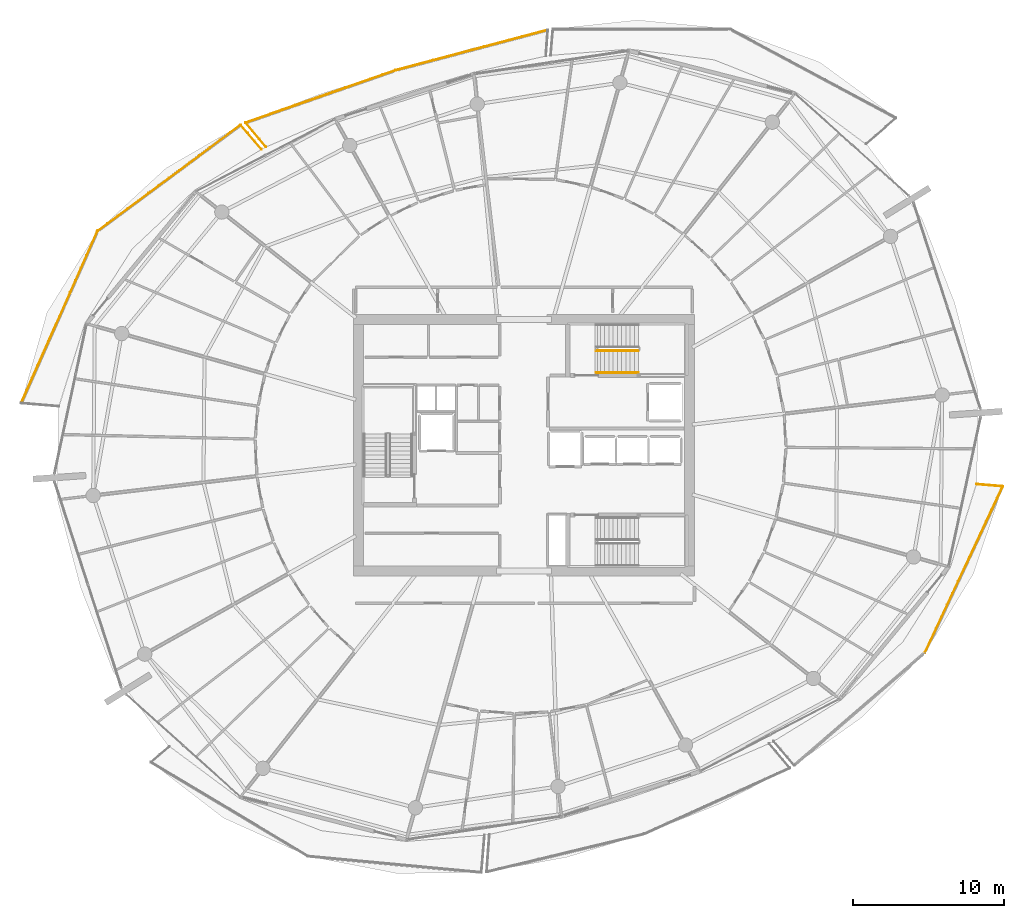
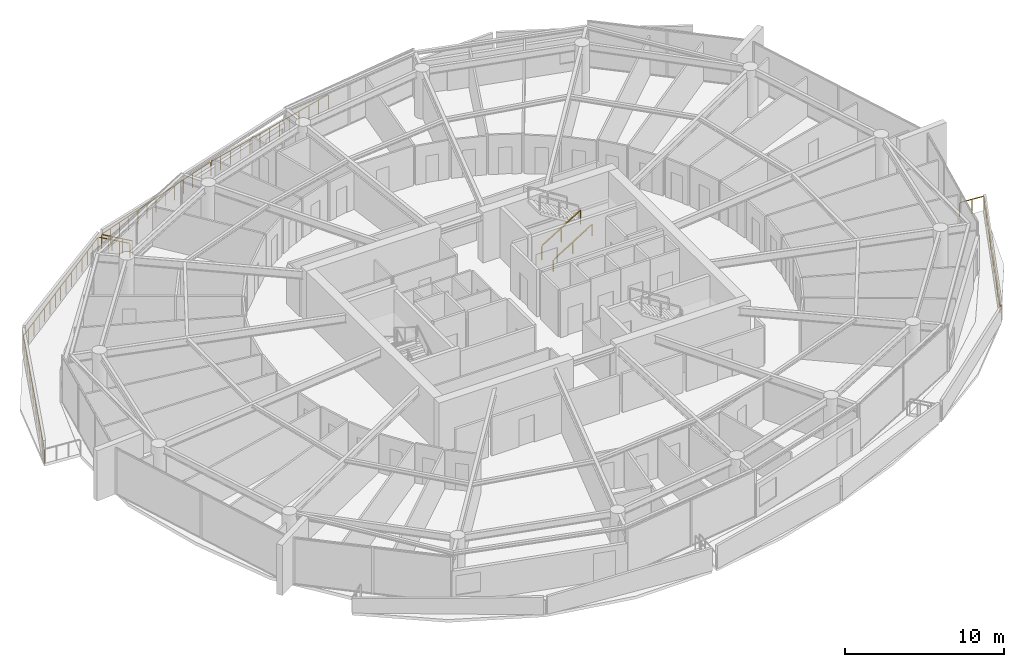
# One storey, part 28 of 30: 10 railings.
"""IFC4 building model written with IfcOpenShell, lengths in metres."""

from ifc_helpers import new_model, si_unit, direction, frame, origin, origin_2d, place, context, subcontext, project, spatial, rectangle, extrude, material, type_object, element, save


model = new_model("IFC4")

# Units and contexts
model_context = context("Model", 3, precision=1e-05, world=origin(), true_north=direction((0.0, 1.0)))
body_context = subcontext(model_context, "Body", "Model", "MODEL_VIEW")
ifc_project = project(units=[si_unit("LENGTHUNIT", "METRE"), si_unit("AREAUNIT", "SQUARE_METRE"), si_unit("VOLUMEUNIT", "CUBIC_METRE"), si_unit("PLANEANGLEUNIT", "RADIAN"), si_unit("MASSUNIT", "GRAM", prefix="KILO")], contexts=[model_context])

# Site, building, storey
site_placement = place(None, origin())
site = spatial("IfcSite", under=ifc_project, at=site_placement, CompositionType="ELEMENT")
building_placement = place(site_placement, origin())
building = spatial("IfcBuilding", under=site, at=building_placement, Name="Kazma Halo Residences", CompositionType="ELEMENT")
storey_placement = place(building_placement, frame((0.0, 0.0, 263.64990234375)))
storey = spatial("IfcBuildingStorey", under=building, at=storey_placement, Name="L66", CompositionType="ELEMENT", Elevation=263.64990234375)

# Railings
ifc_material_1 = material(Name="Aluminium AW-6063 T6 Brushed Cap Rail", Category="aluminium")
railing_type_1 = type_object("IfcRailingType", Name="RLG-BAL-CAP-1120", PredefinedType="BALUSTRADE", material=ifc_material_1)
railing_1_placement = place(storey_placement, frame((49.993408203125, 69.47265625, 0.0)))
element("IfcRailing", 1, at=railing_1_placement, inside=storey, type_object=railing_type_1, Name="L66 NNW wave balcony guard 2", PredefinedType="BALUSTRADE", context=body_context, shape_type="SweptSolid", body=[
    extrude(rectangle(XDim=0.050048828125, YDim=0.050048828125, at=origin_2d()), frame((-0.041015625, -0.010986328125, 1.09521484375), z_axis=(-0.966571887032, -0.256395762836, 0.0), x_axis=(0.256395762836, -0.966571887032, 0.0)), (0.0, 0.0, 1.0), 10.31591796875),
    extrude(rectangle(XDim=0.0400390625, YDim=0.0400390625, at=origin_2d()), origin(), (0.0, 0.0, 1.0), 1.05810546875),
    extrude(rectangle(XDim=0.0400390625, YDim=0.0400390625, at=origin_2d()), frame((-0.837890625, -0.22216796875, 0.0)), (0.0, 0.0, 1.0), 1.05810546875),
    extrude(rectangle(XDim=0.0400390625, YDim=0.0400390625, at=origin_2d()), frame((-1.675537109375, -0.4443359375, 0.0)), (0.0, 0.0, 1.0), 1.05810546875),
    extrude(rectangle(XDim=0.0400390625, YDim=0.0400390625, at=origin_2d()), frame((-2.51318359375, -0.666748046875, 0.0)), (0.0, 0.0, 1.0), 1.05810546875),
    extrude(rectangle(XDim=0.0400390625, YDim=0.0400390625, at=origin_2d()), frame((-3.35107421875, -0.888916015625, 0.0)), (0.0, 0.0, 1.0), 1.05810546875),
    extrude(rectangle(XDim=0.0400390625, YDim=0.0400390625, at=origin_2d()), frame((-4.18896484375, -1.111083984375, 0.0)), (0.0, 0.0, 1.0), 1.05810546875),
    extrude(rectangle(XDim=0.0400390625, YDim=0.0400390625, at=origin_2d()), frame((-5.026611328125, -1.33349609375, 0.0)), (0.0, 0.0, 1.0), 1.05810546875),
    extrude(rectangle(XDim=0.0400390625, YDim=0.0400390625, at=origin_2d()), frame((-5.8642578125, -1.5556640625, 0.0)), (0.0, 0.0, 1.0), 1.05810546875),
    extrude(rectangle(XDim=0.0400390625, YDim=0.0400390625, at=origin_2d()), frame((-6.7021484375, -1.77783203125, 0.0)), (0.0, 0.0, 1.0), 1.05810546875),
    extrude(rectangle(XDim=0.0400390625, YDim=0.0400390625, at=origin_2d()), frame((-7.5400390625, -2.0, 0.0)), (0.0, 0.0, 1.0), 1.05810546875),
    extrude(rectangle(XDim=0.0400390625, YDim=0.0400390625, at=origin_2d()), frame((-8.377685546875, -2.22216796875, 0.0)), (0.0, 0.0, 1.0), 1.05810546875),
    extrude(rectangle(XDim=0.0400390625, YDim=0.0400390625, at=origin_2d()), frame((-9.21533203125, -2.444580078125, 0.0)), (0.0, 0.0, 1.0), 1.05810546875),
    extrude(rectangle(XDim=0.0400390625, YDim=0.0400390625, at=origin_2d()), frame((-10.05322265625, -2.666748046875, 0.0)), (0.0, 0.0, 1.0), 1.05810546875),
])
railing_2_placement = place(storey_placement, frame((39.940185546875, 66.805908203125, 0.0)))
element("IfcRailing", 2, at=railing_2_placement, inside=storey, type_object=railing_type_1, Name="L66 NNW wave balcony guard 3", PredefinedType="BALUSTRADE", context=body_context, shape_type="SweptSolid", body=[
    extrude(rectangle(XDim=0.050048828125, YDim=0.050048828125, at=origin_2d()), frame((-0.0400390625, -0.013916015625, 1.09521484375), z_axis=(-0.943997856529, -0.329951582612, 0.0), x_axis=(0.329951582612, -0.943997856529, 0.0)), (0.0, 0.0, 1.0), 10.4404296875),
    extrude(rectangle(XDim=0.0400390625, YDim=0.0400390625, at=origin_2d()), origin(), (0.0, 0.0, 1.0), 1.05810546875),
    extrude(rectangle(XDim=0.0400390625, YDim=0.0400390625, at=origin_2d()), frame((-0.828125, -0.289306640625, 0.0)), (0.0, 0.0, 1.0), 1.05810546875),
    extrude(rectangle(XDim=0.0400390625, YDim=0.0400390625, at=origin_2d()), frame((-1.656005859375, -0.578857421875, 0.0)), (0.0, 0.0, 1.0), 1.05810546875),
    extrude(rectangle(XDim=0.0400390625, YDim=0.0400390625, at=origin_2d()), frame((-2.48388671875, -0.8681640625, 0.0)), (0.0, 0.0, 1.0), 1.05810546875),
    extrude(rectangle(XDim=0.0400390625, YDim=0.0400390625, at=origin_2d()), frame((-3.31201171875, -1.15771484375, 0.0)), (0.0, 0.0, 1.0), 1.05810546875),
    extrude(rectangle(XDim=0.0400390625, YDim=0.0400390625, at=origin_2d()), frame((-4.14013671875, -1.447021484375, 0.0)), (0.0, 0.0, 1.0), 1.05810546875),
    extrude(rectangle(XDim=0.0400390625, YDim=0.0400390625, at=origin_2d()), frame((-4.968017578125, -1.736328125, 0.0)), (0.0, 0.0, 1.0), 1.05810546875),
    extrude(rectangle(XDim=0.0400390625, YDim=0.0400390625, at=origin_2d()), frame((-5.7958984375, -2.02587890625, 0.0)), (0.0, 0.0, 1.0), 1.05810546875),
    extrude(rectangle(XDim=0.0400390625, YDim=0.0400390625, at=origin_2d()), frame((-6.6240234375, -2.315185546875, 0.0)), (0.0, 0.0, 1.0), 1.05810546875),
    extrude(rectangle(XDim=0.0400390625, YDim=0.0400390625, at=origin_2d()), frame((-7.4521484375, -2.604736328125, 0.0)), (0.0, 0.0, 1.0), 1.05810546875),
    extrude(rectangle(XDim=0.0400390625, YDim=0.0400390625, at=origin_2d()), frame((-8.280029296875, -2.89404296875, 0.0)), (0.0, 0.0, 1.0), 1.05810546875),
    extrude(rectangle(XDim=0.0400390625, YDim=0.0400390625, at=origin_2d()), frame((-9.10791015625, -3.18359375, 0.0)), (0.0, 0.0, 1.0), 1.05810546875),
    extrude(rectangle(XDim=0.0400390625, YDim=0.0400390625, at=origin_2d()), frame((-9.93603515625, -3.472900390625, 0.0)), (0.0, 0.0, 1.0), 1.05810546875),
])
railing_3_placement = place(storey_placement, frame((30.004150390625, 63.3330078125, 0.0)))
element("IfcRailing", 3, at=railing_3_placement, inside=storey, type_object=railing_type_1, Name="L66 NNW wave balcony guard 4", PredefinedType="BALUSTRADE", context=body_context, shape_type="SweptSolid", body=[
    extrude(rectangle(XDim=0.050048828125, YDim=0.050048828125, at=origin_2d()), frame((0.02734375, -0.032470703125, 1.09521484375), z_axis=(0.644813519354, -0.764339927819, 0.0), x_axis=(0.764339927819, 0.644813519354, 0.0)), (0.0, 0.0, 1.0), 2.010498046875),
    extrude(rectangle(XDim=0.0400390625, YDim=0.0400390625, at=origin_2d()), origin(), (0.0, 0.0, 1.0), 1.05810546875),
    extrude(rectangle(XDim=0.0400390625, YDim=0.0400390625, at=origin_2d()), frame((0.450439453125, -0.533935546875, 0.0)), (0.0, 0.0, 1.0), 1.05810546875),
    extrude(rectangle(XDim=0.0400390625, YDim=0.0400390625, at=origin_2d()), frame((0.90087890625, -1.06787109375, 0.0)), (0.0, 0.0, 1.0), 1.05810546875),
    extrude(rectangle(XDim=0.0400390625, YDim=0.0400390625, at=origin_2d()), frame((1.351318359375, -1.601806640625, 0.0)), (0.0, 0.0, 1.0), 1.05810546875),
])
railing_4_placement = place(storey_placement, frame((31.06787109375, 61.58154296875, 0.0)))
element("IfcRailing", 4, at=railing_4_placement, inside=storey, type_object=railing_type_1, Name="L66 NW wave balcony guard 1", PredefinedType="BALUSTRADE", context=body_context, shape_type="SweptSolid", body=[
    extrude(rectangle(XDim=0.050048828125, YDim=0.050048828125, at=origin_2d()), frame((-0.02783203125, 0.0322265625, 1.09521484375), z_axis=(-0.65411453311, 0.756395516628, 0.0), x_axis=(-0.756395516628, -0.65411453311, 0.0)), (0.0, 0.0, 1.0), 2.034423828125),
    extrude(rectangle(XDim=0.0400390625, YDim=0.0400390625, at=origin_2d()), origin(), (0.0, 0.0, 1.0), 1.05810546875),
    extrude(rectangle(XDim=0.0400390625, YDim=0.0400390625, at=origin_2d()), frame((-0.462158203125, 0.534423828125, 0.0)), (0.0, 0.0, 1.0), 1.05810546875),
    extrude(rectangle(XDim=0.0400390625, YDim=0.0400390625, at=origin_2d()), frame((-0.92431640625, 1.06884765625, 0.0)), (0.0, 0.0, 1.0), 1.05810546875),
    extrude(rectangle(XDim=0.0400390625, YDim=0.0400390625, at=origin_2d()), frame((-1.386474609375, 1.603271484375, 0.0)), (0.0, 0.0, 1.0), 1.05810546875),
])
railing_5_placement = place(storey_placement, frame((29.681396484375, 63.184814453125, 0.0)))
element("IfcRailing", 5, at=railing_5_placement, inside=storey, type_object=railing_type_1, Name="L66 NW wave balcony guard 2", PredefinedType="BALUSTRADE", context=body_context, shape_type="SweptSolid", body=[
    extrude(rectangle(XDim=0.050048828125, YDim=0.050048828125, at=origin_2d()), frame((-0.0341796875, -0.025390625, 1.09521484375), z_axis=(-0.803328675668, -0.595535925742, 0.0), x_axis=(0.595535925742, -0.803328675668, 0.0)), (0.0, 0.0, 1.0), 11.708740234375),
    extrude(rectangle(XDim=0.0400390625, YDim=0.0400390625, at=origin_2d()), origin(), (0.0, 0.0, 1.0), 1.05810546875),
    extrude(rectangle(XDim=0.0400390625, YDim=0.0400390625, at=origin_2d()), frame((-0.6767578125, -0.501708984375, 0.0)), (0.0, 0.0, 1.0), 1.05810546875),
    extrude(rectangle(XDim=0.0400390625, YDim=0.0400390625, at=origin_2d()), frame((-1.353515625, -1.00341796875, 0.0)), (0.0, 0.0, 1.0), 1.05810546875),
    extrude(rectangle(XDim=0.0400390625, YDim=0.0400390625, at=origin_2d()), frame((-2.0302734375, -1.505126953125, 0.0)), (0.0, 0.0, 1.0), 1.05810546875),
    extrude(rectangle(XDim=0.0400390625, YDim=0.0400390625, at=origin_2d()), frame((-2.70703125, -2.0068359375, 0.0)), (0.0, 0.0, 1.0), 1.05810546875),
    extrude(rectangle(XDim=0.0400390625, YDim=0.0400390625, at=origin_2d()), frame((-3.3837890625, -2.508544921875, 0.0)), (0.0, 0.0, 1.0), 1.05810546875),
    extrude(rectangle(XDim=0.0400390625, YDim=0.0400390625, at=origin_2d()), frame((-4.060546875, -3.01025390625, 0.0)), (0.0, 0.0, 1.0), 1.05810546875),
    extrude(rectangle(XDim=0.0400390625, YDim=0.0400390625, at=origin_2d()), frame((-4.7373046875, -3.51171875, 0.0)), (0.0, 0.0, 1.0), 1.05810546875),
    extrude(rectangle(XDim=0.0400390625, YDim=0.0400390625, at=origin_2d()), frame((-5.413818359375, -4.013427734375, 0.0)), (0.0, 0.0, 1.0), 1.05810546875),
    extrude(rectangle(XDim=0.0400390625, YDim=0.0400390625, at=origin_2d()), frame((-6.090576171875, -4.51513671875, 0.0)), (0.0, 0.0, 1.0), 1.05810546875),
    extrude(rectangle(XDim=0.0400390625, YDim=0.0400390625, at=origin_2d()), frame((-6.767333984375, -5.016845703125, 0.0)), (0.0, 0.0, 1.0), 1.05810546875),
    extrude(rectangle(XDim=0.0400390625, YDim=0.0400390625, at=origin_2d()), frame((-7.444091796875, -5.5185546875, 0.0)), (0.0, 0.0, 1.0), 1.05810546875),
    extrude(rectangle(XDim=0.0400390625, YDim=0.0400390625, at=origin_2d()), frame((-8.120849609375, -6.020263671875, 0.0)), (0.0, 0.0, 1.0), 1.05810546875),
    extrude(rectangle(XDim=0.0400390625, YDim=0.0400390625, at=origin_2d()), frame((-8.797607421875, -6.52197265625, 0.0)), (0.0, 0.0, 1.0), 1.05810546875),
    extrude(rectangle(XDim=0.0400390625, YDim=0.0400390625, at=origin_2d()), frame((-9.474365234375, -7.023681640625, 0.0)), (0.0, 0.0, 1.0), 1.05810546875),
])
railing_6_placement = place(storey_placement, frame((20.20703125, 56.1611328125, 0.0)))
element("IfcRailing", 6, at=railing_6_placement, inside=storey, type_object=railing_type_1, Name="L66 NW wave balcony guard 3", PredefinedType="BALUSTRADE", context=body_context, shape_type="SweptSolid", body=[
    extrude(rectangle(XDim=0.050048828125, YDim=0.050048828125, at=origin_2d()), frame((-0.017333984375, -0.038818359375, 1.09521484375), z_axis=(-0.405326368951, -0.914172048705, 0.0), x_axis=(0.914172048705, -0.405326368951, 0.0)), (0.0, 0.0, 1.0), 12.35791015625),
    extrude(rectangle(XDim=0.0400390625, YDim=0.0400390625, at=origin_2d()), origin(), (0.0, 0.0, 1.0), 1.05810546875),
    extrude(rectangle(XDim=0.0400390625, YDim=0.0400390625, at=origin_2d()), frame((-0.3603515625, -0.8125, 0.0)), (0.0, 0.0, 1.0), 1.05810546875),
    extrude(rectangle(XDim=0.0400390625, YDim=0.0400390625, at=origin_2d()), frame((-0.720458984375, -1.625, 0.0)), (0.0, 0.0, 1.0), 1.05810546875),
    extrude(rectangle(XDim=0.0400390625, YDim=0.0400390625, at=origin_2d()), frame((-1.080810546875, -2.4375, 0.0)), (0.0, 0.0, 1.0), 1.05810546875),
    extrude(rectangle(XDim=0.0400390625, YDim=0.0400390625, at=origin_2d()), frame((-1.44091796875, -3.25, 0.0)), (0.0, 0.0, 1.0), 1.05810546875),
    extrude(rectangle(XDim=0.0400390625, YDim=0.0400390625, at=origin_2d()), frame((-1.80126953125, -4.0625, 0.0)), (0.0, 0.0, 1.0), 1.05810546875),
    extrude(rectangle(XDim=0.0400390625, YDim=0.0400390625, at=origin_2d()), frame((-2.161376953125, -4.875, 0.0)), (0.0, 0.0, 1.0), 1.05810546875),
    extrude(rectangle(XDim=0.0400390625, YDim=0.0400390625, at=origin_2d()), frame((-2.521728515625, -5.6875, 0.0)), (0.0, 0.0, 1.0), 1.05810546875),
    extrude(rectangle(XDim=0.0400390625, YDim=0.0400390625, at=origin_2d()), frame((-2.882080078125, -6.5, 0.0)), (0.0, 0.0, 1.0), 1.05810546875),
    extrude(rectangle(XDim=0.0400390625, YDim=0.0400390625, at=origin_2d()), frame((-3.2421875, -7.3125, 0.0)), (0.0, 0.0, 1.0), 1.05810546875),
    extrude(rectangle(XDim=0.0400390625, YDim=0.0400390625, at=origin_2d()), frame((-3.6025390625, -8.125, 0.0)), (0.0, 0.0, 1.0), 1.05810546875),
    extrude(rectangle(XDim=0.0400390625, YDim=0.0400390625, at=origin_2d()), frame((-3.962646484375, -8.9375, 0.0)), (0.0, 0.0, 1.0), 1.05810546875),
    extrude(rectangle(XDim=0.0400390625, YDim=0.0400390625, at=origin_2d()), frame((-4.322998046875, -9.75, 0.0)), (0.0, 0.0, 1.0), 1.05810546875),
    extrude(rectangle(XDim=0.0400390625, YDim=0.0400390625, at=origin_2d()), frame((-4.68310546875, -10.5625, 0.0)), (0.0, 0.0, 1.0), 1.05810546875),
    extrude(rectangle(XDim=0.0400390625, YDim=0.0400390625, at=origin_2d()), frame((-5.04345703125, -11.375, 0.0)), (0.0, 0.0, 1.0), 1.05810546875),
])
railing_7_placement = place(storey_placement, frame((74.936767578125, 28.27490234375, 0.0)))
element("IfcRailing", 7, at=railing_7_placement, inside=storey, type_object=railing_type_1, Name="L66 SE wave balcony guard 3", PredefinedType="BALUSTRADE", context=body_context, shape_type="SweptSolid", body=[
    extrude(rectangle(XDim=0.050048828125, YDim=0.050048828125, at=origin_2d()), frame((0.01806640625, 0.03857421875, 1.09521484375), z_axis=(0.424183132305, 0.905576429832, 0.0), x_axis=(-0.905576429832, 0.424183132305, 0.0)), (0.0, 0.0, 1.0), 12.064208984375),
    extrude(rectangle(XDim=0.0400390625, YDim=0.0400390625, at=origin_2d()), origin(), (0.0, 0.0, 1.0), 1.05810546875),
    extrude(rectangle(XDim=0.0400390625, YDim=0.0400390625, at=origin_2d()), frame((0.3681640625, 0.785888671875, 0.0)), (0.0, 0.0, 1.0), 1.05810546875),
    extrude(rectangle(XDim=0.0400390625, YDim=0.0400390625, at=origin_2d()), frame((0.736328125, 1.57177734375, 0.0)), (0.0, 0.0, 1.0), 1.05810546875),
    extrude(rectangle(XDim=0.0400390625, YDim=0.0400390625, at=origin_2d()), frame((1.104248046875, 2.357666015625, 0.0)), (0.0, 0.0, 1.0), 1.05810546875),
    extrude(rectangle(XDim=0.0400390625, YDim=0.0400390625, at=origin_2d()), frame((1.472412109375, 3.1435546875, 0.0)), (0.0, 0.0, 1.0), 1.05810546875),
    extrude(rectangle(XDim=0.0400390625, YDim=0.0400390625, at=origin_2d()), frame((1.840576171875, 3.929443359375, 0.0)), (0.0, 0.0, 1.0), 1.05810546875),
    extrude(rectangle(XDim=0.0400390625, YDim=0.0400390625, at=origin_2d()), frame((2.208740234375, 4.71533203125, 0.0)), (0.0, 0.0, 1.0), 1.05810546875),
    extrude(rectangle(XDim=0.0400390625, YDim=0.0400390625, at=origin_2d()), frame((2.57666015625, 5.5009765625, 0.0)), (0.0, 0.0, 1.0), 1.05810546875),
    extrude(rectangle(XDim=0.0400390625, YDim=0.0400390625, at=origin_2d()), frame((2.94482421875, 6.286865234375, 0.0)), (0.0, 0.0, 1.0), 1.05810546875),
    extrude(rectangle(XDim=0.0400390625, YDim=0.0400390625, at=origin_2d()), frame((3.31298828125, 7.07275390625, 0.0)), (0.0, 0.0, 1.0), 1.05810546875),
    extrude(rectangle(XDim=0.0400390625, YDim=0.0400390625, at=origin_2d()), frame((3.68115234375, 7.858642578125, 0.0)), (0.0, 0.0, 1.0), 1.05810546875),
    extrude(rectangle(XDim=0.0400390625, YDim=0.0400390625, at=origin_2d()), frame((4.04931640625, 8.64453125, 0.0)), (0.0, 0.0, 1.0), 1.05810546875),
    extrude(rectangle(XDim=0.0400390625, YDim=0.0400390625, at=origin_2d()), frame((4.417236328125, 9.430419921875, 0.0)), (0.0, 0.0, 1.0), 1.05810546875),
    extrude(rectangle(XDim=0.0400390625, YDim=0.0400390625, at=origin_2d()), frame((4.785400390625, 10.21630859375, 0.0)), (0.0, 0.0, 1.0), 1.05810546875),
    extrude(rectangle(XDim=0.0400390625, YDim=0.0400390625, at=origin_2d()), frame((5.153564453125, 11.002197265625, 0.0)), (0.0, 0.0, 1.0), 1.05810546875),
])
railing_8_placement = place(storey_placement, frame((80.09033203125, 39.277099609375, 0.0)))
element("IfcRailing", 8, at=railing_8_placement, inside=storey, type_object=railing_type_1, Name="L66 SE wave balcony guard 4", PredefinedType="BALUSTRADE", context=body_context, shape_type="SweptSolid", body=[
    extrude(rectangle(XDim=0.050048828125, YDim=0.050048828125, at=origin_2d()), frame((-0.04248046875, 0.003662109375, 1.09521484375), z_axis=(-0.996417331857, 0.084572458722, 0.0), x_axis=(-0.084572458722, -0.996417331857, 0.0)), (0.0, 0.0, 1.0), 1.661376953125),
    extrude(rectangle(XDim=0.0400390625, YDim=0.0400390625, at=origin_2d()), origin(), (0.0, 0.0, 1.0), 1.05810546875),
    extrude(rectangle(XDim=0.0400390625, YDim=0.0400390625, at=origin_2d()), frame((-0.8701171875, 0.07373046875, 0.0)), (0.0, 0.0, 1.0), 1.05810546875),
    extrude(rectangle(XDim=0.0400390625, YDim=0.0400390625, at=origin_2d()), frame((-1.740234375, 0.147705078125, 0.0)), (0.0, 0.0, 1.0), 1.05810546875),
])
ifc_material_2 = material(Name="Painted Steel S355", Category="steel")
railing_type_2 = type_object("IfcRailingType", Name="RLG-STAIR-GRD-1100", PredefinedType="GUARDRAIL", material=ifc_material_2)
railing_9_placement = place(storey_placement, frame((53.199951171875, 48.25, 0.175048828125)))
element("IfcRailing", 9, at=railing_9_placement, inside=storey, type_object=railing_type_2, Name="L66 ST-02 stair guard 1", PredefinedType="GUARDRAIL", context=body_context, shape_type="SweptSolid", body=[
    extrude(rectangle(XDim=0.050048828125, YDim=0.050048828125, at=origin_2d()), frame((0.0361328125, 0.0, 1.09765625), z_axis=(0.848002457836, 0.0, 0.529992293815), x_axis=(0.0, 1.0, 0.0)), (0.0, 0.0, 1.0), 3.216796875),
    extrude(rectangle(XDim=0.0400390625, YDim=0.0400390625, at=origin_2d()), origin(), (0.0, 0.0, 1.0), 1.0380859375),
    extrude(rectangle(XDim=0.0400390625, YDim=0.0400390625, at=origin_2d()), frame((1.39990234375, 0.0, 0.875)), (0.0, 0.0, 1.0), 1.0380859375),
    extrude(rectangle(XDim=0.0400390625, YDim=0.0400390625, at=origin_2d()), frame((2.800048828125, 0.0, 1.75)), (0.0, 0.0, 1.0), 1.0380859375),
])
ifc_material_3 = material(Name="Brushed Stainless Steel", Category="steel")
railing_type_3 = type_object("IfcRailingType", Name="RLG-STAIR-HND-900", PredefinedType="HANDRAIL", material=ifc_material_3)
railing_10_placement = place(storey_placement, frame((53.199951171875, 46.800048828125, 0.175048828125)))
element("IfcRailing", 10, at=railing_10_placement, inside=storey, type_object=railing_type_3, Name="L66 ST-02 stair handrail 1", PredefinedType="HANDRAIL", context=body_context, shape_type="SweptSolid", body=[
    extrude(rectangle(XDim=0.050048828125, YDim=0.050048828125, at=origin_2d()), frame((0.0361328125, 0.0, 0.8974609375), z_axis=(0.848002457836, 0.0, 0.529992293815), x_axis=(0.0, 1.0, 0.0)), (0.0, 0.0, 1.0), 3.216796875),
    extrude(rectangle(XDim=0.0400390625, YDim=0.0400390625, at=origin_2d()), origin(), (0.0, 0.0, 1.0), 0.837890625),
    extrude(rectangle(XDim=0.0400390625, YDim=0.0400390625, at=origin_2d()), frame((1.39990234375, 0.0, 0.875)), (0.0, 0.0, 1.0), 0.837890625),
    extrude(rectangle(XDim=0.0400390625, YDim=0.0400390625, at=origin_2d()), frame((2.800048828125, 0.0, 1.75)), (0.0, 0.0, 1.0), 0.837890625),
])

save(model, "model.ifc")
